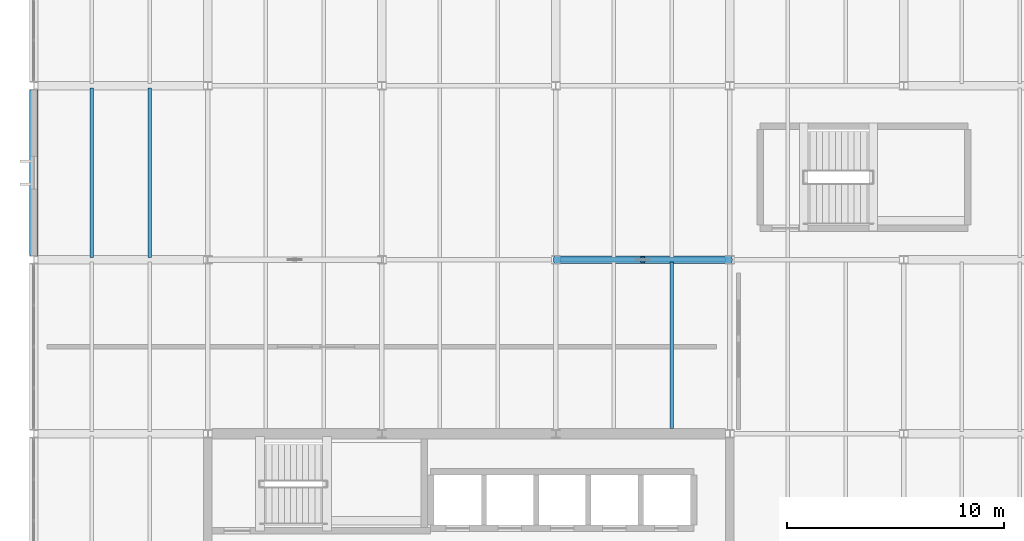
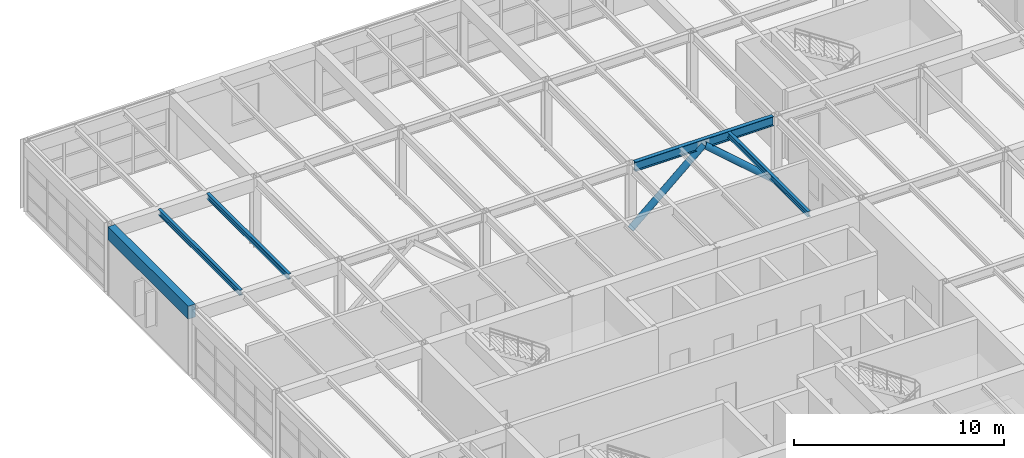
# One storey, part 14 of 48: 5 beams, 2 members.
"""IFC4 building model written with IfcOpenShell, lengths in metres."""

from ifc_helpers import new_model, si_unit, direction, frame, origin, origin_2d, place, context, subcontext, project, spatial, rectangle, hollow_circle, i_section, extrude, material, material_profile, profile_set, type_object, element, save


model = new_model("IFC4")

# Units and contexts
model_context = context("Model", 3, precision=1e-05, world=origin(), true_north=direction((0.0, 1.0)))
body_context = subcontext(model_context, "Body", "Model", "MODEL_VIEW")
ifc_project = project(units=[si_unit("LENGTHUNIT", "METRE"), si_unit("AREAUNIT", "SQUARE_METRE"), si_unit("VOLUMEUNIT", "CUBIC_METRE"), si_unit("PLANEANGLEUNIT", "RADIAN"), si_unit("MASSUNIT", "GRAM", prefix="KILO")], contexts=[model_context])

# Site, building, storey
site_placement = place(None, origin())
site = spatial("IfcSite", under=ifc_project, at=site_placement, CompositionType="ELEMENT")
building_placement = place(site_placement, origin())
building = spatial("IfcBuilding", under=site, at=building_placement, Name="Varnela Railside Interchange", CompositionType="ELEMENT")
storey_placement = place(building_placement, frame((0.0, 0.0, 11.199951171875)))
storey = spatial("IfcBuildingStorey", under=building, at=storey_placement, Name="L02", CompositionType="ELEMENT", Elevation=11.199951171875)

# Beams
ifc_material_1 = material(Name="Steel AR 350 (350 MPa)", Category="steel")
ifc_material_profile_1 = material_profile(ifc_material_1, i_section(OverallWidth=0.2119140625, OverallDepth=0.5439453125, WebThickness=0.01318359375, FlangeThickness=0.021240234375, at=origin_2d()), Name="W530x123")
ifc_profile_set_1 = profile_set([ifc_material_profile_1], Name="Steel AR 350 (350 MPa)")
beam_type_1 = type_object("IfcBeamType", Name="Composite Heavy Girder B-16", PredefinedType="BEAM", material=ifc_profile_set_1)
beam_1_placement = place(storey_placement, frame((28.197021484375, 78.0, 3.72802734375), z_axis=(1.0, 0.0, 0.0), x_axis=(0.0, 1.0, 0.0)))
element("IfcBeam", 1, at=beam_1_placement, inside=storey, type_object=beam_type_1, Name="Composite Heavy Girder B-16 (L02) (BM-1997)", PredefinedType="BEAM", context=body_context, shape_type="SweptSolid", body=[
    extrude(i_section(OverallWidth=0.2119140625, OverallDepth=0.5439453125, WebThickness=0.01318359375, FlangeThickness=0.021240234375, at=origin_2d()), origin(), (0.0, 0.0, 1.0), 7.60595703125),
])
ifc_material_profile_2 = material_profile(ifc_material_1, i_section(OverallWidth=0.1669921875, OverallDepth=0.31689453125, WebThickness=0.007568359375, FlangeThickness=0.01318359375, at=origin_2d()), Name="W310x52")
ifc_profile_set_2 = profile_set([ifc_material_profile_2], Name="Steel AR 350 (350 MPa)")
beam_type_2 = type_object("IfcBeamType", Name="Composite Long-Span Joist J-03", PredefinedType="JOIST", material=ifc_profile_set_2)
for number, where, z_axis, x_axis, name in (
    (2, (6.669921875, 78.10595703125, 3.841552734375), (0.0, 1.0, 0.0), (-1.0, 0.0, 0.0), "Composite Long-Span Joist J-03 (L02) (BM-1837)"),
    (3, (9.330078125, 78.10595703125, 3.841552734375), (0.0, 1.0, 0.0), (-1.0, 0.0, 0.0), "Composite Long-Span Joist J-03 (L02) (BM-1838)"),
):
    element("IfcBeam", number, at=place(storey_placement, frame(where, z_axis=z_axis, x_axis=x_axis)), inside=storey, type_object=beam_type_2, Name=name, PredefinedType="JOIST", context=body_context, shape_type="SweptSolid", body=[
        extrude(i_section(OverallWidth=0.1669921875, OverallDepth=0.31689453125, WebThickness=0.007568359375, FlangeThickness=0.01318359375, at=origin_2d()), origin(), (0.0, 0.0, 1.0), 7.7880859375),
    ])
beam_2_placement = place(storey_placement, frame((33.330078125, 70.239990234375, 3.841552734375), z_axis=(0.0, 1.0, 0.0), x_axis=(-1.0, 0.0, 0.0)))
element("IfcBeam", 4, at=beam_2_placement, inside=storey, type_object=beam_type_2, Name="Composite Long-Span Joist J-03 (L02) (BM-1903)", PredefinedType="JOIST", context=body_context, shape_type="SweptSolid", body=[
    extrude(i_section(OverallWidth=0.1669921875, OverallDepth=0.31689453125, WebThickness=0.007568359375, FlangeThickness=0.01318359375, at=origin_2d()), origin(), (0.0, 0.0, 1.0), 7.654052734375),
])
ifc_material_2 = material(Name="Concrete C40 precast", Category="concrete")
ifc_material_profile_3 = material_profile(ifc_material_2, rectangle(XDim=0.39990234375, YDim=0.75, at=origin_2d()), Name="PC 400x750")
ifc_profile_set_3 = profile_set([ifc_material_profile_3], Name="Concrete C40 precast")
beam_type_3 = type_object("IfcBeamType", Name="Precast Facade Spandrel SP-03", PredefinedType="SPANDREL", material=ifc_profile_set_3)
beam_3_placement = place(storey_placement, frame((4.0, 78.1875, 3.625), z_axis=(0.0, 1.0, 0.0), x_axis=(-1.0, 0.0, 0.0)))
element("IfcBeam", 5, at=beam_3_placement, inside=storey, type_object=beam_type_3, Name="Precast Facade Spandrel SP-03 (L02) (BM-2055)", PredefinedType="SPANDREL", context=body_context, shape_type="SweptSolid", body=[
    extrude(rectangle(XDim=0.39990234375, YDim=0.75, at=origin_2d()), origin(), (0.0, 0.0, 1.0), 7.625),
])

# Members
ifc_material_profile_4 = material_profile(ifc_material_1, hollow_circle(Radius=0.177734375, WallThickness=0.02001953125, at=origin_2d()), Name="CHS 355.6x20")
ifc_profile_set_4 = profile_set([ifc_material_profile_4], Name="Steel AR 350 (350 MPa)")
member_type = type_object("IfcMemberType", Name="Tubular Core Brace BR-10", PredefinedType="BRACE", material=ifc_profile_set_4)
for number, where, z_axis, x_axis, name in (
    (6, (28.0, 78.0, 0.150146484375), (0.752576694707, 0.0, 0.658504607869), (0.0, 1.0, 0.0), "Tubular Core Brace BR-10 (L02) (MB-0081)"),
    (7, (36.0, 78.0, 0.150146484375), (-0.752576694707, 0.0, 0.658504607869), (0.0, -1.0, 0.0), "Tubular Core Brace BR-10 (L02) (MB-0082)"),
):
    element("IfcMember", number, at=place(storey_placement, frame(where, z_axis=z_axis, x_axis=x_axis)), inside=storey, type_object=member_type, Name=name, PredefinedType="BRACE", context=body_context, shape_type="SweptSolid", body=[
        extrude(hollow_circle(Radius=0.177734375, WallThickness=0.02001953125, at=origin_2d()), origin(), (0.0, 0.0, 1.0), 5.315185546875),
    ])

save(model, "model.ifc")
